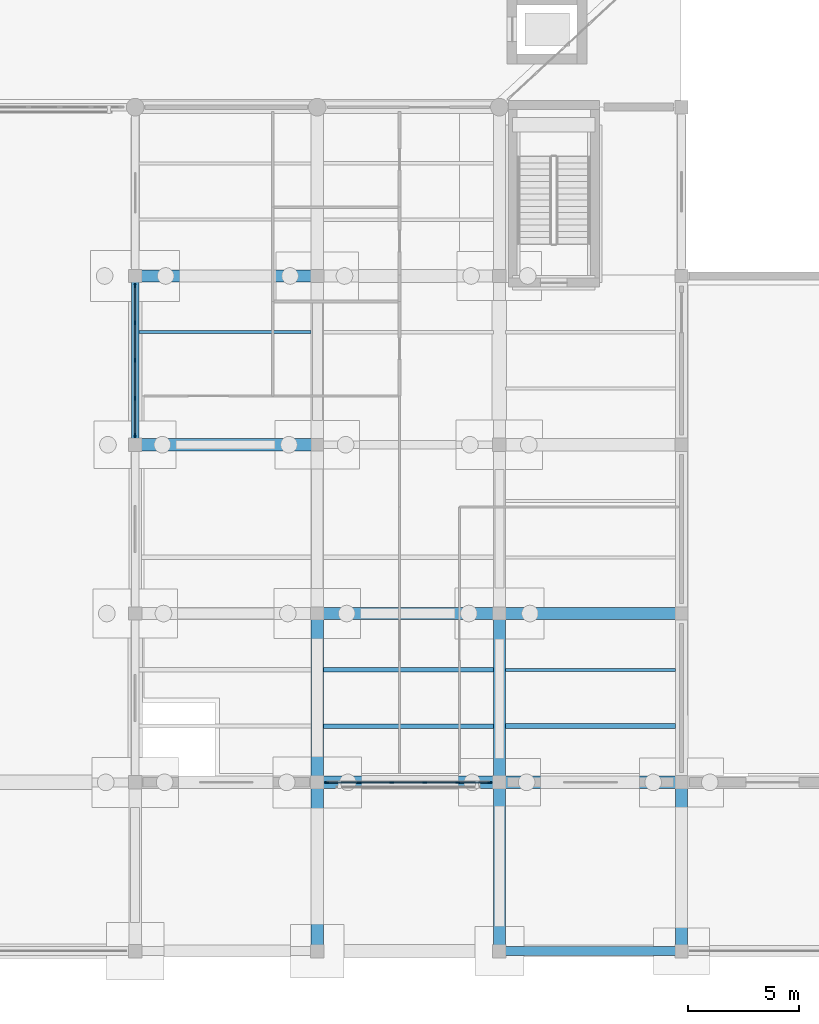
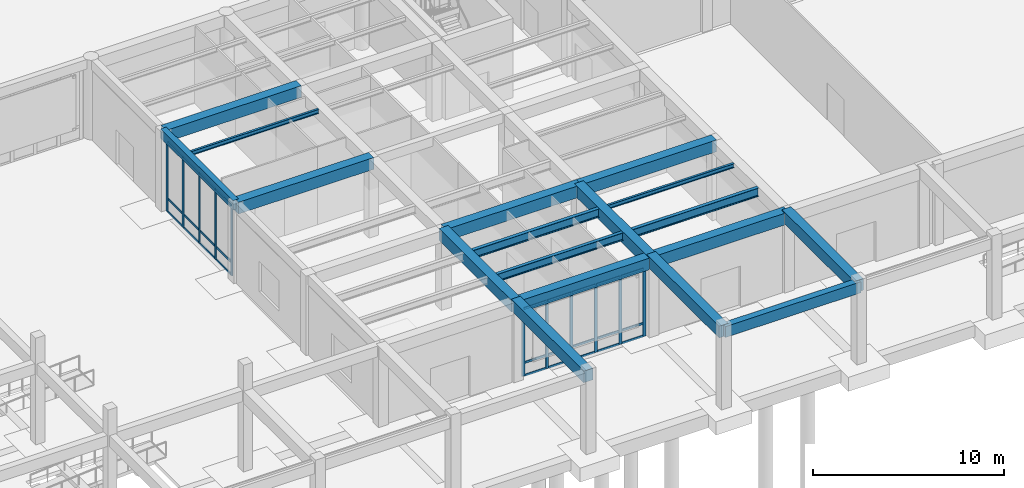
# One storey, part 12 of 64: 38 members, 18 beams, 2 elements without a shape of their own.
"""IFC4 building model written with IfcOpenShell, lengths in metres."""

from ifc_helpers import new_model, si_unit, direction, frame, origin, origin_2d, place, context, subcontext, project, spatial, rectangle, i_section, extrude, material, material_profile, profile_set, type_object, element, aggregate, save


model = new_model("IFC4")

# Units and contexts
model_context = context("Model", 3, precision=1e-05, world=origin(), true_north=direction((0.0, 1.0)))
body_context = subcontext(model_context, "Body", "Model", "MODEL_VIEW")
ifc_project = project(units=[si_unit("LENGTHUNIT", "METRE"), si_unit("AREAUNIT", "SQUARE_METRE"), si_unit("VOLUMEUNIT", "CUBIC_METRE"), si_unit("PLANEANGLEUNIT", "RADIAN"), si_unit("MASSUNIT", "GRAM", prefix="KILO")], contexts=[model_context])

# Site, building, storey
site_placement = place(None, origin())
site = spatial("IfcSite", under=ifc_project, at=site_placement, CompositionType="ELEMENT")
building_placement = place(site_placement, origin())
building = spatial("IfcBuilding", under=site, at=building_placement, Name="Qandaris Square Conservatory and Botanical Centre", CompositionType="ELEMENT")
storey_placement = place(building_placement, origin())
storey = spatial("IfcBuildingStorey", under=building, at=storey_placement, Name="L00", CompositionType="ELEMENT", Elevation=0.0)

# Beam
ifc_material_1 = material(Name="Steel S355", Category="steel")
ifc_material_profile_1 = material_profile(ifc_material_1, i_section(OverallWidth=0.199951171875, OverallDepth=0.5, WebThickness=0.01025390625, FlangeThickness=0.01611328125, FilletRadius=0.02099609375, at=origin_2d()), Name="IPE 500")
ifc_profile_set_1 = profile_set([ifc_material_profile_1], Name="Steel S355")
beam_type_1 = type_object("IfcBeamType", Name="Composite Gallery Joist IPE 500", PredefinedType="JOIST", material=ifc_profile_set_1)
beam_1_placement = place(storey_placement, frame((41.074951171875, 19.13330078125, 4.840087890625), z_axis=(1.0, 0.0, 0.0), x_axis=(0.0, 1.0, 0.0)))
element("IfcBeam", 1, at=beam_1_placement, inside=storey, type_object=beam_type_1, Name="L00 Composite Joist 0705", PredefinedType="JOIST", context=body_context, shape_type="SweptSolid", body=[
    extrude(i_section(OverallWidth=0.199951171875, OverallDepth=0.5, WebThickness=0.01025390625, FlangeThickness=0.01611328125, FilletRadius=0.02099609375, at=origin_2d()), origin(), (0.0, 0.0, 1.0), 7.650146484375),
])

# Curtain wall, members
ifc_material_2 = material(Name="Anodised Aluminium", Category="aluminium")
curtain_wall_type_1 = type_object("IfcCurtainWallType", Name="Unitised Curtain Wall CW-5-740x435", PredefinedType="USERDEFINED", material=ifc_material_2)
curtain_wall_1_placement = place(storey_placement, origin())
curtain_wall_1 = element("IfcCurtainWall", 2, at=curtain_wall_1_placement, inside=storey, type_object=curtain_wall_type_1, Name="Curtain Wall CW-V3A-L00-1-2", ObjectType="GLAZED CURTAIN WALL", PredefinedType="USERDEFINED")
ifc_material_profile_2 = material_profile(ifc_material_2, rectangle(XDim=0.06494140625, YDim=0.179931640625, at=origin_2d()), Name="ALU-MUL 65x180")
ifc_profile_set_2 = profile_set([ifc_material_profile_2], Name="Anodised Aluminium")
member_type_1 = type_object("IfcMemberType", Name="Curtain Wall Mullion 65x180", PredefinedType="MULLION", material=ifc_profile_set_2)
member_1_placement = place(storey_placement, frame((41.232421875, 16.60009765625, 0.0), z_axis=(0.0, 0.0, 1.0), x_axis=(0.0, 1.0, 0.0)))
member_1 = element("IfcMember", 3, at=member_1_placement, type_object=member_type_1, Name="CW-5-740x435 mullion 1", PredefinedType="MULLION", context=body_context, shape_type="SweptSolid", body=[
    extrude(rectangle(XDim=0.06494140625, YDim=0.179931640625, at=origin_2d()), origin(), (0.0, 0.0, 1.0), 4.35009765625),
])
member_2_placement = place(storey_placement, frame((42.679931640625, 16.60009765625, 0.0), z_axis=(0.0, 0.0, 1.0), x_axis=(0.0, 1.0, 0.0)))
member_2 = element("IfcMember", 4, at=member_2_placement, type_object=member_type_1, Name="CW-5-740x435 mullion 2", PredefinedType="MULLION", context=body_context, shape_type="SweptSolid", body=[
    extrude(rectangle(XDim=0.06494140625, YDim=0.179931640625, at=origin_2d()), origin(), (0.0, 0.0, 1.0), 4.35009765625),
])
member_3_placement = place(storey_placement, frame((44.159912109375, 16.60009765625, 0.0), z_axis=(0.0, 0.0, 1.0), x_axis=(0.0, 1.0, 0.0)))
member_3 = element("IfcMember", 5, at=member_3_placement, type_object=member_type_1, Name="CW-5-740x435 mullion 3", PredefinedType="MULLION", context=body_context, shape_type="SweptSolid", body=[
    extrude(rectangle(XDim=0.06494140625, YDim=0.179931640625, at=origin_2d()), origin(), (0.0, 0.0, 1.0), 4.35009765625),
])
member_4_placement = place(storey_placement, frame((45.639892578125, 16.60009765625, 0.0), z_axis=(0.0, 0.0, 1.0), x_axis=(0.0, 1.0, 0.0)))
member_4 = element("IfcMember", 6, at=member_4_placement, type_object=member_type_1, Name="CW-5-740x435 mullion 4", PredefinedType="MULLION", context=body_context, shape_type="SweptSolid", body=[
    extrude(rectangle(XDim=0.06494140625, YDim=0.179931640625, at=origin_2d()), origin(), (0.0, 0.0, 1.0), 4.35009765625),
])
member_5_placement = place(storey_placement, frame((47.1201171875, 16.60009765625, 0.0), z_axis=(0.0, 0.0, 1.0), x_axis=(0.0, 1.0, 0.0)))
member_5 = element("IfcMember", 7, at=member_5_placement, type_object=member_type_1, Name="CW-5-740x435 mullion 5", PredefinedType="MULLION", context=body_context, shape_type="SweptSolid", body=[
    extrude(rectangle(XDim=0.06494140625, YDim=0.179931640625, at=origin_2d()), origin(), (0.0, 0.0, 1.0), 4.35009765625),
])
member_6_placement = place(storey_placement, frame((48.5673828125, 16.60009765625, 0.0), z_axis=(0.0, 0.0, 1.0), x_axis=(0.0, 1.0, 0.0)))
member_6 = element("IfcMember", 8, at=member_6_placement, type_object=member_type_1, Name="CW-5-740x435 mullion 6", PredefinedType="MULLION", context=body_context, shape_type="SweptSolid", body=[
    extrude(rectangle(XDim=0.06494140625, YDim=0.179931640625, at=origin_2d()), origin(), (0.0, 0.0, 1.0), 4.35009765625),
])

curtain_wall_type_2 = type_object("IfcCurtainWallType", Name="Unitised Curtain Wall CW-5-680x450", PredefinedType="USERDEFINED", material=ifc_material_2)
curtain_wall_2_placement = place(storey_placement, origin())
curtain_wall_2 = element("IfcCurtainWall", 9, at=curtain_wall_2_placement, inside=storey, type_object=curtain_wall_type_2, Name="Curtain Wall CW-V3A-L00-4-2", ObjectType="GLAZED CURTAIN WALL", PredefinedType="USERDEFINED")
member_7_placement = place(storey_placement, frame((32.60009765625, 38.967529296875, 0.0), z_axis=(0.0, 0.0, 1.0), x_axis=(1.0, 0.0, 0.0)))
member_7 = element("IfcMember", 10, at=member_7_placement, type_object=member_type_1, Name="CW-5-680x450 mullion 1", PredefinedType="MULLION", context=body_context, shape_type="SweptSolid", body=[
    extrude(rectangle(XDim=0.06494140625, YDim=0.179931640625, at=origin_2d()), origin(), (0.0, 0.0, 1.0), 4.5),
])
member_8_placement = place(storey_placement, frame((32.60009765625, 37.300048828125, 0.0), z_axis=(0.0, 0.0, 1.0), x_axis=(1.0, 0.0, 0.0)))
member_8 = element("IfcMember", 11, at=member_8_placement, type_object=member_type_1, Name="CW-5-680x450 mullion 2", PredefinedType="MULLION", context=body_context, shape_type="SweptSolid", body=[
    extrude(rectangle(XDim=0.06494140625, YDim=0.179931640625, at=origin_2d()), origin(), (0.0, 0.0, 1.0), 4.5),
])
member_9_placement = place(storey_placement, frame((32.60009765625, 35.60009765625, 0.0), z_axis=(0.0, 0.0, 1.0), x_axis=(1.0, 0.0, 0.0)))
member_9 = element("IfcMember", 12, at=member_9_placement, type_object=member_type_1, Name="CW-5-680x450 mullion 3", PredefinedType="MULLION", context=body_context, shape_type="SweptSolid", body=[
    extrude(rectangle(XDim=0.06494140625, YDim=0.179931640625, at=origin_2d()), origin(), (0.0, 0.0, 1.0), 4.5),
])
member_10_placement = place(storey_placement, frame((32.60009765625, 33.89990234375, 0.0), z_axis=(0.0, 0.0, 1.0), x_axis=(1.0, 0.0, 0.0)))
member_10 = element("IfcMember", 13, at=member_10_placement, type_object=member_type_1, Name="CW-5-680x450 mullion 4", PredefinedType="MULLION", context=body_context, shape_type="SweptSolid", body=[
    extrude(rectangle(XDim=0.06494140625, YDim=0.179931640625, at=origin_2d()), origin(), (0.0, 0.0, 1.0), 4.5),
])
member_11_placement = place(storey_placement, frame((32.60009765625, 32.232421875, 0.0), z_axis=(0.0, 0.0, 1.0), x_axis=(1.0, 0.0, 0.0)))
member_11 = element("IfcMember", 14, at=member_11_placement, type_object=member_type_1, Name="CW-5-680x450 mullion 5", PredefinedType="MULLION", context=body_context, shape_type="SweptSolid", body=[
    extrude(rectangle(XDim=0.06494140625, YDim=0.179931640625, at=origin_2d()), origin(), (0.0, 0.0, 1.0), 4.5),
])

# Member
ifc_material_profile_3 = material_profile(ifc_material_2, rectangle(XDim=0.06494140625, YDim=0.139892578125, at=origin_2d()), Name="ALU-TRN 65x140")
ifc_profile_set_3 = profile_set([ifc_material_profile_3], Name="Anodised Aluminium")
member_type_2 = type_object("IfcMemberType", Name="Curtain Wall Transom 65x140", PredefinedType="USERDEFINED", material=ifc_profile_set_3)
member_12_placement = place(storey_placement, frame((41.264892578125, 16.60009765625, 0.032470703125), z_axis=(1.0, 0.0, 0.0), x_axis=(0.0, 1.0, 0.0)))
member_12 = element("IfcMember", 15, at=member_12_placement, type_object=member_type_2, Name="CW-5-740x435 transom 1.1", ObjectType="TRANSOM", PredefinedType="USERDEFINED", context=body_context, shape_type="SweptSolid", body=[
    extrude(rectangle(XDim=0.06494140625, YDim=0.139892578125, at=origin_2d()), origin(), (0.0, 0.0, 1.0), 1.382568359375),
])

member_13_placement = place(storey_placement, frame((41.264892578125, 16.60009765625, 0.85009765625), z_axis=(1.0, 0.0, 0.0), x_axis=(0.0, 1.0, 0.0)))
member_13 = element("IfcMember", 16, at=member_13_placement, type_object=member_type_2, Name="CW-5-740x435 transom 1.2", ObjectType="TRANSOM", PredefinedType="USERDEFINED", context=body_context, shape_type="SweptSolid", body=[
    extrude(rectangle(XDim=0.06494140625, YDim=0.139892578125, at=origin_2d()), origin(), (0.0, 0.0, 1.0), 1.382568359375),
])

member_14_placement = place(storey_placement, frame((41.264892578125, 16.60009765625, 4.3173828125), z_axis=(1.0, 0.0, 0.0), x_axis=(0.0, 1.0, 0.0)))
member_14 = element("IfcMember", 17, at=member_14_placement, type_object=member_type_2, Name="CW-5-740x435 transom 1.3", ObjectType="TRANSOM", PredefinedType="USERDEFINED", context=body_context, shape_type="SweptSolid", body=[
    extrude(rectangle(XDim=0.06494140625, YDim=0.139892578125, at=origin_2d()), origin(), (0.0, 0.0, 1.0), 1.382568359375),
])

member_15_placement = place(storey_placement, frame((42.71240234375, 16.60009765625, 0.032470703125), z_axis=(1.0, 0.0, 0.0), x_axis=(0.0, 1.0, 0.0)))
member_15 = element("IfcMember", 18, at=member_15_placement, type_object=member_type_2, Name="CW-5-740x435 transom 2.1", ObjectType="TRANSOM", PredefinedType="USERDEFINED", context=body_context, shape_type="SweptSolid", body=[
    extrude(rectangle(XDim=0.06494140625, YDim=0.139892578125, at=origin_2d()), origin(), (0.0, 0.0, 1.0), 1.4150390625),
])

member_16_placement = place(storey_placement, frame((42.71240234375, 16.60009765625, 0.85009765625), z_axis=(1.0, 0.0, 0.0), x_axis=(0.0, 1.0, 0.0)))
member_16 = element("IfcMember", 19, at=member_16_placement, type_object=member_type_2, Name="CW-5-740x435 transom 2.2", ObjectType="TRANSOM", PredefinedType="USERDEFINED", context=body_context, shape_type="SweptSolid", body=[
    extrude(rectangle(XDim=0.06494140625, YDim=0.139892578125, at=origin_2d()), origin(), (0.0, 0.0, 1.0), 1.4150390625),
])

member_17_placement = place(storey_placement, frame((42.71240234375, 16.60009765625, 4.3173828125), z_axis=(1.0, 0.0, 0.0), x_axis=(0.0, 1.0, 0.0)))
member_17 = element("IfcMember", 20, at=member_17_placement, type_object=member_type_2, Name="CW-5-740x435 transom 2.3", ObjectType="TRANSOM", PredefinedType="USERDEFINED", context=body_context, shape_type="SweptSolid", body=[
    extrude(rectangle(XDim=0.06494140625, YDim=0.139892578125, at=origin_2d()), origin(), (0.0, 0.0, 1.0), 1.4150390625),
])

member_18_placement = place(storey_placement, frame((44.1923828125, 16.60009765625, 0.032470703125), z_axis=(1.0, 0.0, 0.0), x_axis=(0.0, 1.0, 0.0)))
member_18 = element("IfcMember", 21, at=member_18_placement, type_object=member_type_2, Name="CW-5-740x435 transom 3.1", ObjectType="TRANSOM", PredefinedType="USERDEFINED", context=body_context, shape_type="SweptSolid", body=[
    extrude(rectangle(XDim=0.06494140625, YDim=0.139892578125, at=origin_2d()), origin(), (0.0, 0.0, 1.0), 1.4150390625),
])

member_19_placement = place(storey_placement, frame((44.1923828125, 16.60009765625, 0.85009765625), z_axis=(1.0, 0.0, 0.0), x_axis=(0.0, 1.0, 0.0)))
member_19 = element("IfcMember", 22, at=member_19_placement, type_object=member_type_2, Name="CW-5-740x435 transom 3.2", ObjectType="TRANSOM", PredefinedType="USERDEFINED", context=body_context, shape_type="SweptSolid", body=[
    extrude(rectangle(XDim=0.06494140625, YDim=0.139892578125, at=origin_2d()), origin(), (0.0, 0.0, 1.0), 1.4150390625),
])

member_20_placement = place(storey_placement, frame((44.1923828125, 16.60009765625, 4.3173828125), z_axis=(1.0, 0.0, 0.0), x_axis=(0.0, 1.0, 0.0)))
member_20 = element("IfcMember", 23, at=member_20_placement, type_object=member_type_2, Name="CW-5-740x435 transom 3.3", ObjectType="TRANSOM", PredefinedType="USERDEFINED", context=body_context, shape_type="SweptSolid", body=[
    extrude(rectangle(XDim=0.06494140625, YDim=0.139892578125, at=origin_2d()), origin(), (0.0, 0.0, 1.0), 1.4150390625),
])

member_21_placement = place(storey_placement, frame((45.672607421875, 16.60009765625, 0.032470703125), z_axis=(1.0, 0.0, 0.0), x_axis=(0.0, 1.0, 0.0)))
member_21 = element("IfcMember", 24, at=member_21_placement, type_object=member_type_2, Name="CW-5-740x435 transom 4.1", ObjectType="TRANSOM", PredefinedType="USERDEFINED", context=body_context, shape_type="SweptSolid", body=[
    extrude(rectangle(XDim=0.06494140625, YDim=0.139892578125, at=origin_2d()), origin(), (0.0, 0.0, 1.0), 1.414794921875),
])

member_22_placement = place(storey_placement, frame((45.672607421875, 16.60009765625, 0.85009765625), z_axis=(1.0, 0.0, 0.0), x_axis=(0.0, 1.0, 0.0)))
member_22 = element("IfcMember", 25, at=member_22_placement, type_object=member_type_2, Name="CW-5-740x435 transom 4.2", ObjectType="TRANSOM", PredefinedType="USERDEFINED", context=body_context, shape_type="SweptSolid", body=[
    extrude(rectangle(XDim=0.06494140625, YDim=0.139892578125, at=origin_2d()), origin(), (0.0, 0.0, 1.0), 1.414794921875),
])

member_23_placement = place(storey_placement, frame((45.672607421875, 16.60009765625, 4.3173828125), z_axis=(1.0, 0.0, 0.0), x_axis=(0.0, 1.0, 0.0)))
member_23 = element("IfcMember", 26, at=member_23_placement, type_object=member_type_2, Name="CW-5-740x435 transom 4.3", ObjectType="TRANSOM", PredefinedType="USERDEFINED", context=body_context, shape_type="SweptSolid", body=[
    extrude(rectangle(XDim=0.06494140625, YDim=0.139892578125, at=origin_2d()), origin(), (0.0, 0.0, 1.0), 1.414794921875),
])

member_24_placement = place(storey_placement, frame((47.152587890625, 16.60009765625, 0.032470703125), z_axis=(1.0, 0.0, 0.0), x_axis=(0.0, 1.0, 0.0)))
member_24 = element("IfcMember", 27, at=member_24_placement, type_object=member_type_2, Name="CW-5-740x435 transom 5.1", ObjectType="TRANSOM", PredefinedType="USERDEFINED", context=body_context, shape_type="SweptSolid", body=[
    extrude(rectangle(XDim=0.06494140625, YDim=0.139892578125, at=origin_2d()), origin(), (0.0, 0.0, 1.0), 1.38232421875),
])

member_25_placement = place(storey_placement, frame((47.152587890625, 16.60009765625, 0.85009765625), z_axis=(1.0, 0.0, 0.0), x_axis=(0.0, 1.0, 0.0)))
member_25 = element("IfcMember", 28, at=member_25_placement, type_object=member_type_2, Name="CW-5-740x435 transom 5.2", ObjectType="TRANSOM", PredefinedType="USERDEFINED", context=body_context, shape_type="SweptSolid", body=[
    extrude(rectangle(XDim=0.06494140625, YDim=0.139892578125, at=origin_2d()), origin(), (0.0, 0.0, 1.0), 1.38232421875),
])

member_26_placement = place(storey_placement, frame((47.152587890625, 16.60009765625, 4.3173828125), z_axis=(1.0, 0.0, 0.0), x_axis=(0.0, 1.0, 0.0)))
member_26 = element("IfcMember", 29, at=member_26_placement, type_object=member_type_2, Name="CW-5-740x435 transom 5.3", ObjectType="TRANSOM", PredefinedType="USERDEFINED", context=body_context, shape_type="SweptSolid", body=[
    extrude(rectangle(XDim=0.06494140625, YDim=0.139892578125, at=origin_2d()), origin(), (0.0, 0.0, 1.0), 1.38232421875),
])

aggregate(curtain_wall_1, [member_1, member_2, member_3, member_4, member_5, member_6, member_12, member_13, member_14, member_15, member_16, member_17, member_18, member_19, member_20, member_21, member_22, member_23, member_24, member_25, member_26])

member_27_placement = place(storey_placement, frame((32.60009765625, 38.93505859375, 0.032470703125), z_axis=(0.0, -1.0, 0.0), x_axis=(1.0, 0.0, 0.0)))
member_27 = element("IfcMember", 30, at=member_27_placement, type_object=member_type_2, Name="CW-5-680x450 transom 1.1", ObjectType="TRANSOM", PredefinedType="USERDEFINED", context=body_context, shape_type="SweptSolid", body=[
    extrude(rectangle(XDim=0.06494140625, YDim=0.139892578125, at=origin_2d()), origin(), (0.0, 0.0, 1.0), 1.6025390625),
])

member_28_placement = place(storey_placement, frame((32.60009765625, 38.93505859375, 0.85009765625), z_axis=(0.0, -1.0, 0.0), x_axis=(1.0, 0.0, 0.0)))
member_28 = element("IfcMember", 31, at=member_28_placement, type_object=member_type_2, Name="CW-5-680x450 transom 1.2", ObjectType="TRANSOM", PredefinedType="USERDEFINED", context=body_context, shape_type="SweptSolid", body=[
    extrude(rectangle(XDim=0.06494140625, YDim=0.139892578125, at=origin_2d()), origin(), (0.0, 0.0, 1.0), 1.6025390625),
])

member_29_placement = place(storey_placement, frame((32.60009765625, 38.93505859375, 4.467529296875), z_axis=(0.0, -1.0, 0.0), x_axis=(1.0, 0.0, 0.0)))
member_29 = element("IfcMember", 32, at=member_29_placement, type_object=member_type_2, Name="CW-5-680x450 transom 1.3", ObjectType="TRANSOM", PredefinedType="USERDEFINED", context=body_context, shape_type="SweptSolid", body=[
    extrude(rectangle(XDim=0.06494140625, YDim=0.139892578125, at=origin_2d()), origin(), (0.0, 0.0, 1.0), 1.6025390625),
])

member_30_placement = place(storey_placement, frame((32.60009765625, 37.267578125, 0.032470703125), z_axis=(0.0, -1.0, 0.0), x_axis=(1.0, 0.0, 0.0)))
member_30 = element("IfcMember", 33, at=member_30_placement, type_object=member_type_2, Name="CW-5-680x450 transom 2.1", ObjectType="TRANSOM", PredefinedType="USERDEFINED", context=body_context, shape_type="SweptSolid", body=[
    extrude(rectangle(XDim=0.06494140625, YDim=0.139892578125, at=origin_2d()), origin(), (0.0, 0.0, 1.0), 1.635009765625),
])

member_31_placement = place(storey_placement, frame((32.60009765625, 37.267578125, 0.85009765625), z_axis=(0.0, -1.0, 0.0), x_axis=(1.0, 0.0, 0.0)))
member_31 = element("IfcMember", 34, at=member_31_placement, type_object=member_type_2, Name="CW-5-680x450 transom 2.2", ObjectType="TRANSOM", PredefinedType="USERDEFINED", context=body_context, shape_type="SweptSolid", body=[
    extrude(rectangle(XDim=0.06494140625, YDim=0.139892578125, at=origin_2d()), origin(), (0.0, 0.0, 1.0), 1.635009765625),
])

member_32_placement = place(storey_placement, frame((32.60009765625, 37.267578125, 4.467529296875), z_axis=(0.0, -1.0, 0.0), x_axis=(1.0, 0.0, 0.0)))
member_32 = element("IfcMember", 35, at=member_32_placement, type_object=member_type_2, Name="CW-5-680x450 transom 2.3", ObjectType="TRANSOM", PredefinedType="USERDEFINED", context=body_context, shape_type="SweptSolid", body=[
    extrude(rectangle(XDim=0.06494140625, YDim=0.139892578125, at=origin_2d()), origin(), (0.0, 0.0, 1.0), 1.635009765625),
])

member_33_placement = place(storey_placement, frame((32.60009765625, 35.5673828125, 0.032470703125), z_axis=(0.0, -1.0, 0.0), x_axis=(1.0, 0.0, 0.0)))
member_33 = element("IfcMember", 36, at=member_33_placement, type_object=member_type_2, Name="CW-5-680x450 transom 3.1", ObjectType="TRANSOM", PredefinedType="USERDEFINED", context=body_context, shape_type="SweptSolid", body=[
    extrude(rectangle(XDim=0.06494140625, YDim=0.139892578125, at=origin_2d()), origin(), (0.0, 0.0, 1.0), 1.634765625),
])

member_34_placement = place(storey_placement, frame((32.60009765625, 35.5673828125, 0.85009765625), z_axis=(0.0, -1.0, 0.0), x_axis=(1.0, 0.0, 0.0)))
member_34 = element("IfcMember", 37, at=member_34_placement, type_object=member_type_2, Name="CW-5-680x450 transom 3.2", ObjectType="TRANSOM", PredefinedType="USERDEFINED", context=body_context, shape_type="SweptSolid", body=[
    extrude(rectangle(XDim=0.06494140625, YDim=0.139892578125, at=origin_2d()), origin(), (0.0, 0.0, 1.0), 1.634765625),
])

member_35_placement = place(storey_placement, frame((32.60009765625, 35.5673828125, 4.467529296875), z_axis=(0.0, -1.0, 0.0), x_axis=(1.0, 0.0, 0.0)))
member_35 = element("IfcMember", 38, at=member_35_placement, type_object=member_type_2, Name="CW-5-680x450 transom 3.3", ObjectType="TRANSOM", PredefinedType="USERDEFINED", context=body_context, shape_type="SweptSolid", body=[
    extrude(rectangle(XDim=0.06494140625, YDim=0.139892578125, at=origin_2d()), origin(), (0.0, 0.0, 1.0), 1.634765625),
])

member_36_placement = place(storey_placement, frame((32.60009765625, 33.867431640625, 0.032470703125), z_axis=(0.0, -1.0, 0.0), x_axis=(1.0, 0.0, 0.0)))
member_36 = element("IfcMember", 39, at=member_36_placement, type_object=member_type_2, Name="CW-5-680x450 transom 4.1", ObjectType="TRANSOM", PredefinedType="USERDEFINED", context=body_context, shape_type="SweptSolid", body=[
    extrude(rectangle(XDim=0.06494140625, YDim=0.139892578125, at=origin_2d()), origin(), (0.0, 0.0, 1.0), 1.6025390625),
])

member_37_placement = place(storey_placement, frame((32.60009765625, 33.867431640625, 0.85009765625), z_axis=(0.0, -1.0, 0.0), x_axis=(1.0, 0.0, 0.0)))
member_37 = element("IfcMember", 40, at=member_37_placement, type_object=member_type_2, Name="CW-5-680x450 transom 4.2", ObjectType="TRANSOM", PredefinedType="USERDEFINED", context=body_context, shape_type="SweptSolid", body=[
    extrude(rectangle(XDim=0.06494140625, YDim=0.139892578125, at=origin_2d()), origin(), (0.0, 0.0, 1.0), 1.6025390625),
])

member_38_placement = place(storey_placement, frame((32.60009765625, 33.867431640625, 4.467529296875), z_axis=(0.0, -1.0, 0.0), x_axis=(1.0, 0.0, 0.0)))
member_38 = element("IfcMember", 41, at=member_38_placement, type_object=member_type_2, Name="CW-5-680x450 transom 4.3", ObjectType="TRANSOM", PredefinedType="USERDEFINED", context=body_context, shape_type="SweptSolid", body=[
    extrude(rectangle(XDim=0.06494140625, YDim=0.139892578125, at=origin_2d()), origin(), (0.0, 0.0, 1.0), 1.6025390625),
])

aggregate(curtain_wall_2, [member_7, member_8, member_9, member_10, member_11, member_27, member_28, member_29, member_30, member_31, member_32, member_33, member_34, member_35, member_36, member_37, member_38])

# Beams
ifc_material_profile_4 = material_profile(ifc_material_1, i_section(OverallWidth=0.2099609375, OverallDepth=0.550048828125, WebThickness=0.010986328125, FlangeThickness=0.01708984375, FilletRadius=0.02392578125, at=origin_2d()), Name="IPE 550")
ifc_profile_set_4 = profile_set([ifc_material_profile_4], Name="Steel S355")
beam_type_2 = type_object("IfcBeamType", Name="Long-Span Foyer Joist IPE 550", PredefinedType="JOIST", material=ifc_profile_set_4)
for number, where, z_axis, x_axis, name in (
    (42, (41.074951171875, 21.666748046875, 4.81494140625), (1.0, 0.0, 0.0), (0.0, 1.0, 0.0), "L00 Composite Joist 0706"),
    (43, (49.27490234375, 19.13330078125, 4.81494140625), (1.0, 0.0, 0.0), (0.0, 1.0, 0.0), "L00 Composite Joist 0711"),
):
    element("IfcBeam", number, at=place(storey_placement, frame(where, z_axis=z_axis, x_axis=x_axis)), inside=storey, type_object=beam_type_2, Name=name, PredefinedType="JOIST", context=body_context, shape_type="SweptSolid", body=[
        extrude(i_section(OverallWidth=0.2099609375, OverallDepth=0.550048828125, WebThickness=0.010986328125, FlangeThickness=0.01708984375, FilletRadius=0.02392578125, at=origin_2d()), origin(), (0.0, 0.0, 1.0), 7.650146484375),
    ])
ifc_material_3 = material(Name="Concrete C50/60", Category="concrete")
ifc_material_profile_5 = material_profile(ifc_material_3, rectangle(XDim=0.39990234375, YDim=0.699951171875, at=origin_2d()), Name="RC-SP 400x700")
ifc_profile_set_5 = profile_set([ifc_material_profile_5], Name="Concrete C50/60")
beam_type_3 = type_object("IfcBeamType", Name="RC Colonnade Spandrel Beam 400x700", PredefinedType="SPANDREL", material=ifc_profile_set_5)
beam_2_placement = place(storey_placement, frame((49.0, 9.0, 4.824951171875), z_axis=(1.0, 0.0, 0.0), x_axis=(0.0, 1.0, 0.0)))
element("IfcBeam", 44, at=beam_2_placement, inside=storey, type_object=beam_type_3, Name="L00 Frame Beam 0322", PredefinedType="SPANDREL", context=body_context, shape_type="SweptSolid", body=[
    extrude(rectangle(XDim=0.39990234375, YDim=0.699951171875, at=origin_2d()), origin(), (0.0, 0.0, 1.0), 8.199951171875),
])
ifc_material_profile_6 = material_profile(ifc_material_3, rectangle(XDim=0.35009765625, YDim=0.60009765625, at=origin_2d()), Name="RC-SP 350x600")
ifc_profile_set_6 = profile_set([ifc_material_profile_6], Name="Concrete C50/60")
beam_type_4 = type_object("IfcBeamType", Name="RC Edge Spandrel Beam 350x600", PredefinedType="SPANDREL", material=ifc_profile_set_6)
beam_3_placement = place(storey_placement, frame((32.60009765625, 31.800048828125, 4.800048828125), z_axis=(0.0, 1.0, 0.0), x_axis=(-1.0, 0.0, 0.0)))
element("IfcBeam", 45, at=beam_3_placement, inside=storey, type_object=beam_type_4, Name="L00 Frame Beam 0534", PredefinedType="SPANDREL", context=body_context, shape_type="SweptSolid", body=[
    extrude(rectangle(XDim=0.35009765625, YDim=0.60009765625, at=origin_2d()), origin(), (0.0, 0.0, 1.0), 7.599853515625),
])
ifc_material_profile_7 = material_profile(ifc_material_3, rectangle(XDim=0.550048828125, YDim=0.75, at=origin_2d()), Name="RC-BM 550x750")
ifc_profile_set_7 = profile_set([ifc_material_profile_7], Name="Concrete C50/60")
beam_type_5 = type_object("IfcBeamType", Name="RC Plinth Girder 550x750", PredefinedType="BEAM", material=ifc_profile_set_7)
for number, where, z_axis, x_axis, name in (
    (46, (40.800048828125, 16.60009765625, 4.72509765625), (1.0, 0.0, 0.0), (0.0, 1.0, 0.0), "L00 Frame Beam 0338"),
    (47, (49.0, 16.60009765625, 4.72509765625), (1.0, 0.0, 0.0), (0.0, 1.0, 0.0), "L00 Frame Beam 0339"),
    (48, (40.800048828125, 24.199951171875, 4.72509765625), (1.0, 0.0, 0.0), (0.0, 1.0, 0.0), "L00 Frame Beam 0356"),
    (49, (49.0, 24.199951171875, 4.72509765625), (1.0, 0.0, 0.0), (0.0, 1.0, 0.0), "L00 Frame Beam 0357"),
    (50, (32.60009765625, 31.800048828125, 4.72509765625), (1.0, 0.0, 0.0), (0.0, 1.0, 0.0), "L00 Frame Beam 0366"),
    (51, (32.60009765625, 39.39990234375, 4.72509765625), (1.0, 0.0, 0.0), (0.0, 1.0, 0.0), "L00 Frame Beam 0376"),
):
    element("IfcBeam", number, at=place(storey_placement, frame(where, z_axis=z_axis, x_axis=x_axis)), inside=storey, type_object=beam_type_5, Name=name, PredefinedType="BEAM", context=body_context, shape_type="SweptSolid", body=[
        extrude(rectangle(XDim=0.550048828125, YDim=0.75, at=origin_2d()), origin(), (0.0, 0.0, 1.0), 8.199951171875),
    ])
beam_4_placement = place(storey_placement, frame((40.800048828125, 9.0, 4.800048828125), z_axis=(0.0, 1.0, 0.0), x_axis=(-1.0, 0.0, 0.0)))
element("IfcBeam", 52, at=beam_4_placement, inside=storey, type_object=beam_type_5, Name="L00 Frame Beam 0536", PredefinedType="BEAM", context=body_context, shape_type="SweptSolid", body=[
    extrude(rectangle(XDim=0.550048828125, YDim=0.75, at=origin_2d()), origin(), (0.0, 0.0, 1.0), 7.60009765625),
])
beam_5_placement = place(storey_placement, frame((40.800048828125, 16.60009765625, 4.72509765625), z_axis=(0.0, 1.0, 0.0), x_axis=(-1.0, 0.0, 0.0)))
element("IfcBeam", 53, at=beam_5_placement, inside=storey, type_object=beam_type_5, Name="L00 Frame Beam 0537", PredefinedType="BEAM", context=body_context, shape_type="SweptSolid", body=[
    extrude(rectangle(XDim=0.550048828125, YDim=0.75, at=origin_2d()), origin(), (0.0, 0.0, 1.0), 7.599853515625),
])
beam_6_placement = place(storey_placement, frame((49.0, 9.0, 4.800048828125), z_axis=(0.0, 1.0, 0.0), x_axis=(-1.0, 0.0, 0.0)))
element("IfcBeam", 54, at=beam_6_placement, inside=storey, type_object=beam_type_5, Name="L00 Frame Beam 0541", PredefinedType="BEAM", context=body_context, shape_type="SweptSolid", body=[
    extrude(rectangle(XDim=0.550048828125, YDim=0.75, at=origin_2d()), origin(), (0.0, 0.0, 1.0), 7.60009765625),
])
beam_7_placement = place(storey_placement, frame((49.0, 16.60009765625, 4.72509765625), z_axis=(0.0, 1.0, 0.0), x_axis=(-1.0, 0.0, 0.0)))
element("IfcBeam", 55, at=beam_7_placement, inside=storey, type_object=beam_type_5, Name="L00 Frame Beam 0542", PredefinedType="BEAM", context=body_context, shape_type="SweptSolid", body=[
    extrude(rectangle(XDim=0.550048828125, YDim=0.75, at=origin_2d()), origin(), (0.0, 0.0, 1.0), 7.599853515625),
])
beam_8_placement = place(storey_placement, frame((57.199951171875, 9.0, 4.800048828125), z_axis=(0.0, 1.0, 0.0), x_axis=(-1.0, 0.0, 0.0)))
element("IfcBeam", 56, at=beam_8_placement, inside=storey, type_object=beam_type_5, Name="L00 Frame Beam 0546", PredefinedType="BEAM", context=body_context, shape_type="SweptSolid", body=[
    extrude(rectangle(XDim=0.550048828125, YDim=0.75, at=origin_2d()), origin(), (0.0, 0.0, 1.0), 7.60009765625),
])
ifc_material_profile_8 = material_profile(ifc_material_1, i_section(OverallWidth=0.135009765625, OverallDepth=0.27001953125, WebThickness=0.006591796875, FlangeThickness=0.01025390625, FilletRadius=0.014892578125, at=origin_2d()), Name="IPE 270")
ifc_profile_set_8 = profile_set([ifc_material_profile_8], Name="Steel S355")
beam_type_6 = type_object("IfcBeamType", Name="Steel Floor Joist IPE 270", PredefinedType="JOIST", material=ifc_profile_set_8)
beam_9_placement = place(storey_placement, frame((32.77490234375, 36.86669921875, 4.955078125), z_axis=(1.0, 0.0, 0.0), x_axis=(0.0, 1.0, 0.0)))
element("IfcBeam", 57, at=beam_9_placement, inside=storey, type_object=beam_type_6, Name="L00 Composite Joist 0702", PredefinedType="JOIST", context=body_context, shape_type="SweptSolid", body=[
    extrude(i_section(OverallWidth=0.135009765625, OverallDepth=0.27001953125, WebThickness=0.006591796875, FlangeThickness=0.01025390625, FilletRadius=0.014892578125, at=origin_2d()), origin(), (0.0, 0.0, 1.0), 7.75),
])
beam_10_placement = place(storey_placement, frame((49.27490234375, 21.666748046875, 4.955078125), z_axis=(1.0, 0.0, 0.0), x_axis=(0.0, 1.0, 0.0)))
element("IfcBeam", 58, at=beam_10_placement, inside=storey, type_object=beam_type_6, Name="L00 Composite Joist 0712", PredefinedType="JOIST", context=body_context, shape_type="SweptSolid", body=[
    extrude(i_section(OverallWidth=0.135009765625, OverallDepth=0.27001953125, WebThickness=0.006591796875, FlangeThickness=0.01025390625, FilletRadius=0.014892578125, at=origin_2d()), origin(), (0.0, 0.0, 1.0), 7.650146484375),
])

save(model, "model.ifc")
